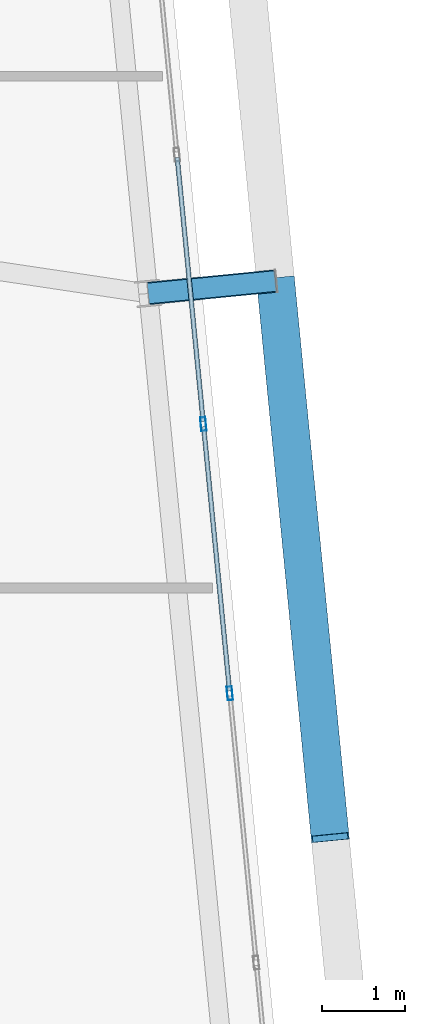
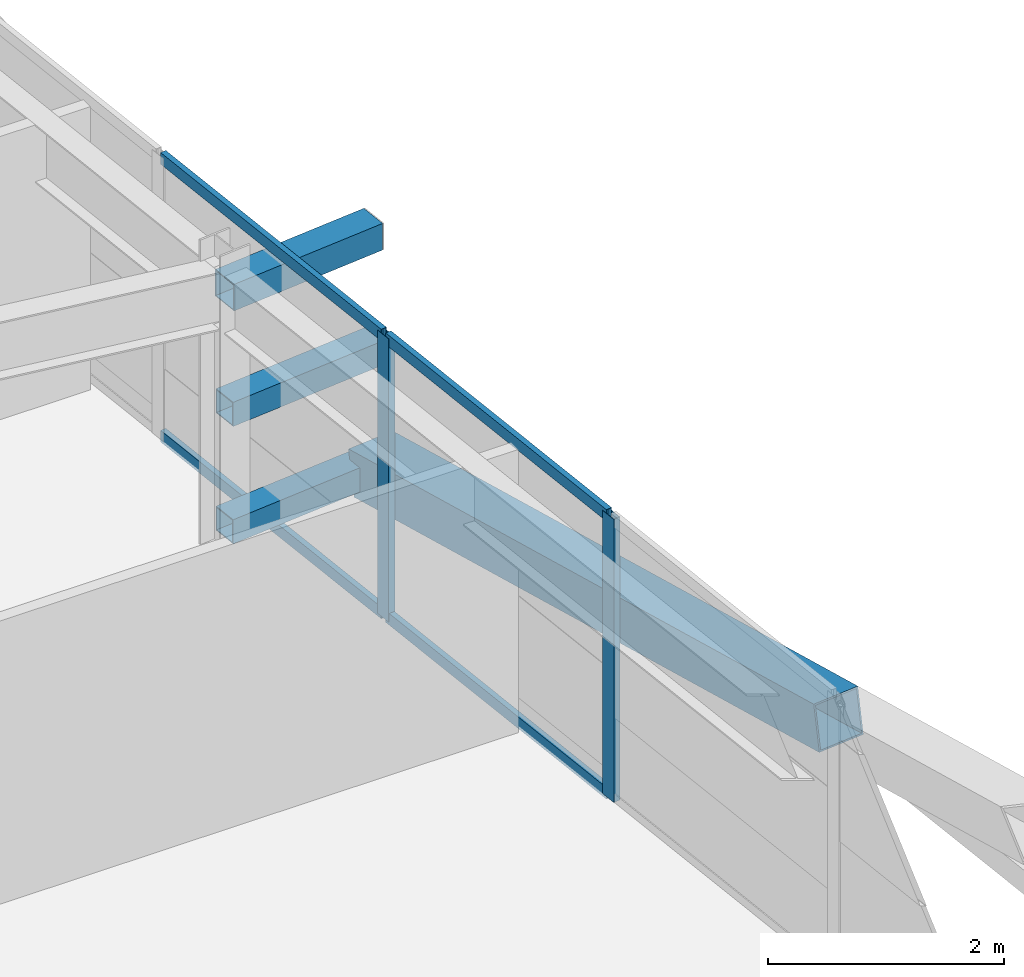
# One storey, part 24 of 52: 10 members, 1 element without a shape of its own.
"""IFC4 building model written with IfcOpenShell, lengths in metres."""

from ifc_helpers import new_model, si_unit, direction, frame, origin, origin_2d, place, context, subcontext, project, spatial, hollow_rectangle, extrude, source, transform, mapped, material, layer, layer_set, material_profile, profile_set, type_object, element, aggregate, save


model = new_model("IFC4")

# Units and contexts
model_context = context("Model", 3, precision=1e-05, world=origin(), true_north=direction((0.0, 1.0)))
body_context = subcontext(model_context, "Body", "Model", "MODEL_VIEW")
ifc_project = project(units=[si_unit("LENGTHUNIT", "METRE"), si_unit("AREAUNIT", "SQUARE_METRE"), si_unit("VOLUMEUNIT", "CUBIC_METRE"), si_unit("PLANEANGLEUNIT", "RADIAN"), si_unit("MASSUNIT", "GRAM", prefix="KILO")], contexts=[model_context])

# Site, building, storey
site_placement = place(None, origin())
site = spatial("IfcSite", under=ifc_project, at=site_placement, CompositionType="ELEMENT")
building_placement = place(site_placement, origin())
building = spatial("IfcBuilding", under=site, at=building_placement, Name="Taldren Reach Tower", CompositionType="ELEMENT")
storey_placement = place(building_placement, frame((0.0, 0.0, 77.699951171875)))
storey = spatial("IfcBuildingStorey", under=building, at=storey_placement, Name="L23", CompositionType="ELEMENT", Elevation=77.699951171875)

# Members
ifc_material_1 = material(Name="Steel Gr 450 (C450L0)", Category="steel")
ifc_material_profile_1 = material_profile(ifc_material_1, hollow_rectangle(XDim=0.27490234375, YDim=0.27490234375, WallThickness=0.00927734375, at=origin_2d()), Name="275x275x9.3SHS")
ifc_profile_set_1 = profile_set([ifc_material_profile_1], Name="Steel Gr 450 (C450L0)")
member_type_1 = type_object("IfcMemberType", Name="MB-TIE273", PredefinedType="STRUT", material=ifc_profile_set_1)
shared_shape_1 = source(origin(), body_context, "Body", "SweptSolid", [
    extrude(hollow_rectangle(XDim=0.27490234375, YDim=0.27490234375, WallThickness=0.00927734375, at=origin_2d()), origin(), (0.0, 0.0, 1.0), 1.5498046875),
])
member_1_placement = place(storey_placement, frame((64.569580078125, 21.968994140625, 2.650146484375), z_axis=(0.995234821595, 0.097507178627, 0.0), x_axis=(-0.097507178627, 0.995234821595, 0.0)))
element("IfcMember", 1, at=member_1_placement, inside=storey, type_object=member_type_1, Name="Exoskeleton diaphragm tie strut B2-E2 L23", PredefinedType="STRUT", context=body_context, shape_type="MappedRepresentation", body=[
    mapped(shared_shape_1, transform((0.0, 0.0, 0.0), scale=1.0)),
])
ifc_material_2 = material(Name="Steel Gr 350 (C350L0)", Category="steel")
ifc_material_profile_2 = material_profile(ifc_material_2, hollow_rectangle(XDim=0.25, YDim=0.25, WallThickness=0.010009765625, at=origin_2d()), Name="250x250x10.0SHS")
ifc_profile_set_2 = profile_set([ifc_material_profile_2], Name="Steel Gr 350 (C350L0)")
member_type_2 = type_object("IfcMemberType", Name="MB-POST250", PredefinedType="POST", material=ifc_profile_set_2)
shared_shape_2 = source(origin(), body_context, "Body", "SweptSolid", [
    extrude(hollow_rectangle(XDim=0.25, YDim=0.25, WallThickness=0.010009765625, at=origin_2d()), origin(), (0.0, 0.0, 1.0), 1.5498046875),
])
for number, where, z_axis, x_axis, name in (
    (2, (64.569580078125, 21.968994140625, 0.219970703125), (0.995234821595, 0.097507178627, 0.0), (-0.097507178627, 0.995234821595, 0.0), "Exoskeleton base diaphragm tie strut B2-E2 L23"),
    (3, (64.569580078125, 21.968994140625, 1.43505859375), (0.995234821595, 0.097507178627, 0.0), (-0.097507178627, 0.995234821595, 0.0), "Exoskeleton mid-tier diaphragm tie B2-E2 L23"),
):
    element("IfcMember", number, at=place(storey_placement, frame(where, z_axis=z_axis, x_axis=x_axis)), inside=storey, type_object=member_type_2, Name=name, PredefinedType="POST", context=body_context, shape_type="MappedRepresentation", body=[
        mapped(shared_shape_2, transform((0.0, 0.0, 0.0), scale=1.0)),
    ])
ifc_material_profile_3 = material_profile(ifc_material_1, hollow_rectangle(XDim=0.4599609375, YDim=0.4599609375, WallThickness=0.01611328125, at=origin_2d()), Name="460x460x16.0SHS")
ifc_profile_set_3 = profile_set([ifc_material_profile_3], Name="Steel Gr 450 (C450L0)")
member_type_3 = type_object("IfcMemberType", Name="MB-EXO457", PredefinedType="BRACE", material=ifc_profile_set_3)
shared_shape_3 = source(origin(), body_context, "Body", "SweptSolid", [
    extrude(hollow_rectangle(XDim=0.4599609375, YDim=0.4599609375, WallThickness=0.01611328125, at=origin_2d()), origin(), (0.0, 0.0, 1.0), 6.883056640625),
])
member_2_placement = place(storey_placement, frame((66.112060546875, 22.1201171875, 0.219970703125), z_axis=(0.09605145821, -0.97959718347, 0.176531797456), x_axis=(0.995227290009, 0.097584021339, 0.0)))
element("IfcMember", 4, at=member_2_placement, inside=storey, type_object=member_type_3, Name="Exoskeleton Diagrid Brace B2-E1 L23", PredefinedType="BRACE", context=body_context, shape_type="MappedRepresentation", body=[
    mapped(shared_shape_3, transform((0.0, 0.0, 0.0), scale=1.0)),
])

# Curtain wall, members
ifc_material_3 = material(Name="Aluminium and Low-E Glass Unitised System", Category="aluminium")
ifc_layer = layer(ifc_material_3, 0.159912109375)
ifc_layer_set = layer_set([ifc_layer], Name="Aluminium and Low-E Glass Unitised System")
curtain_wall_type = type_object("IfcCurtainWallType", Name="CW-SYS-3", PredefinedType="NOTDEFINED", material=ifc_layer_set)
curtain_wall_placement = place(storey_placement, origin())
curtain_wall = element("IfcCurtainWall", 5, at=curtain_wall_placement, inside=storey, type_object=curtain_wall_type, Name="Unitised curtain wall CW-L23-E", PredefinedType="NOTDEFINED")
ifc_material_4 = material(Name="Anodised Aluminium 6063-T6", Category="aluminium")
ifc_material_profile_4 = material_profile(ifc_material_4, hollow_rectangle(XDim=0.06494140625, YDim=0.1650390625, WallThickness=0.00390625, at=origin_2d()), Name="ALU-165x65x4RHS")
ifc_profile_set_4 = profile_set([ifc_material_profile_4], Name="Anodised Aluminium 6063-T6")
member_type_4 = type_object("IfcMemberType", Name="CW-MUL-165", PredefinedType="MULLION", material=ifc_profile_set_4)
shared_shape_4 = source(origin(), body_context, "Body", "SweptSolid", [
    extrude(hollow_rectangle(XDim=0.06494140625, YDim=0.1650390625, WallThickness=0.00390625, at=origin_2d()), origin(), (0.0, 0.0, 1.0), 2.929931640625),
])
member_3_placement = place(storey_placement, frame((65.556884765625, 17.12548828125, 0.0), z_axis=(0.0, 0.0, 1.0), x_axis=(-0.99522741555, -0.09758274098, 0.0)))
member_3 = element("IfcMember", 6, at=member_3_placement, type_object=member_type_4, Name="CW-3 mullion 4", PredefinedType="MULLION", context=body_context, shape_type="MappedRepresentation", body=[
    mapped(shared_shape_4, transform((0.0, 0.0, 0.0), scale=1.0)),
])
member_4_placement = place(storey_placement, frame((65.237060546875, 20.3876953125, 0.0), z_axis=(0.0, 0.0, 1.0), x_axis=(-0.99522741555, -0.09758274098, 0.0)))
member_4 = element("IfcMember", 7, at=member_4_placement, type_object=member_type_4, Name="CW-3 mullion 5", PredefinedType="MULLION", context=body_context, shape_type="MappedRepresentation", body=[
    mapped(shared_shape_4, transform((0.0, 0.0, 0.0), scale=1.0)),
])
ifc_material_profile_5 = material_profile(ifc_material_4, hollow_rectangle(XDim=0.054931640625, YDim=0.1201171875, WallThickness=0.0029296875, at=origin_2d()), Name="ALU-120x55x3RHS")
ifc_profile_set_5 = profile_set([ifc_material_profile_5], Name="Anodised Aluminium 6063-T6")
member_type_5 = type_object("IfcMemberType", Name="CW-TRN-135", PredefinedType="USERDEFINED", material=ifc_profile_set_5)
shared_shape_5 = source(origin(), body_context, "Body", "SweptSolid", [
    extrude(hollow_rectangle(XDim=0.054931640625, YDim=0.1201171875, WallThickness=0.0029296875, at=origin_2d()), origin(), (0.0, 0.0, 1.0), 3.212890625),
])
member_5_placement = place(storey_placement, frame((65.5537109375, 17.15771484375, 0.027587890625), z_axis=(-0.097569948235, 0.995228669805, 0.0), x_axis=(-0.995228669805, -0.097569948235, 0.0)))
member_5 = element("IfcMember", 8, at=member_5_placement, type_object=member_type_5, Name="CW-3 transom 4.1", ObjectType="TRANSOM", PredefinedType="USERDEFINED", context=body_context, shape_type="MappedRepresentation", body=[
    mapped(shared_shape_5, transform((0.0, 0.0, 0.0), scale=1.0)),
])
member_6_placement = place(storey_placement, frame((65.5537109375, 17.15771484375, 2.902587890625), z_axis=(-0.097569948235, 0.995228669805, 0.0), x_axis=(-0.995228669805, -0.097569948235, 0.0)))
member_6 = element("IfcMember", 9, at=member_6_placement, type_object=member_type_5, Name="CW-3 transom 4.2", ObjectType="TRANSOM", PredefinedType="USERDEFINED", context=body_context, shape_type="MappedRepresentation", body=[
    mapped(shared_shape_5, transform((0.0, 0.0, 0.0), scale=1.0)),
])
member_7_placement = place(storey_placement, frame((65.23388671875, 20.419921875, 0.027587890625), z_axis=(-0.097645213046, 0.995221288141, 0.0), x_axis=(-0.995221288141, -0.097645213046, 0.0)))
member_7 = element("IfcMember", 10, at=member_7_placement, type_object=member_type_5, Name="CW-3 transom 5.1", ObjectType="TRANSOM", PredefinedType="USERDEFINED", context=body_context, shape_type="MappedRepresentation", body=[
    mapped(shared_shape_5, transform((0.0, 0.0, 0.0), scale=1.0)),
])
member_8_placement = place(storey_placement, frame((65.23388671875, 20.419921875, 2.902587890625), z_axis=(-0.097645213046, 0.995221288141, 0.0), x_axis=(-0.995221288141, -0.097645213046, 0.0)))
member_8 = element("IfcMember", 11, at=member_8_placement, type_object=member_type_5, Name="CW-3 transom 5.2", ObjectType="TRANSOM", PredefinedType="USERDEFINED", context=body_context, shape_type="MappedRepresentation", body=[
    mapped(shared_shape_5, transform((0.0, 0.0, 0.0), scale=1.0)),
])
aggregate(curtain_wall, [member_3, member_4, member_5, member_6, member_7, member_8])

save(model, "model.ifc")
